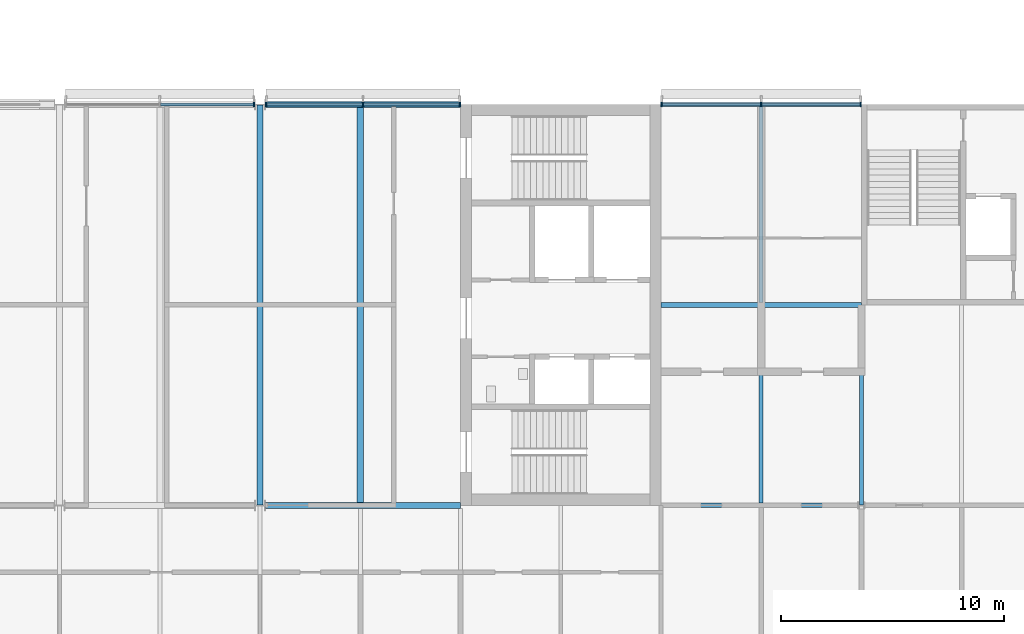
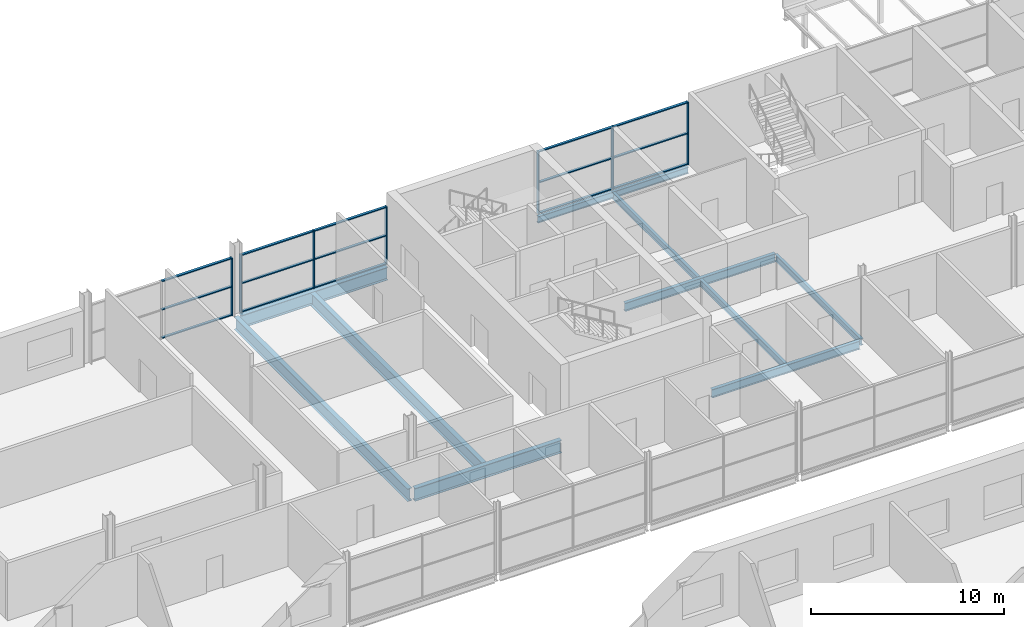
# One storey, part 43 of 97: 22 members, 10 beams, 3 elements without a shape of their own.
"""IFC4 building model written with IfcOpenShell, lengths in metres."""

from ifc_helpers import new_model, si_unit, direction, frame, origin, origin_2d, place, context, subcontext, project, spatial, rectangle, i_section, extrude, material, layer, layer_set, material_profile, profile_set, type_object, element, aggregate, save


model = new_model("IFC4")

# Units and contexts
model_context = context("Model", 3, precision=1e-05, world=origin(), true_north=direction((0.0, 1.0)))
body_context = subcontext(model_context, "Body", "Model", "MODEL_VIEW")
ifc_project = project(units=[si_unit("LENGTHUNIT", "METRE"), si_unit("AREAUNIT", "SQUARE_METRE"), si_unit("VOLUMEUNIT", "CUBIC_METRE"), si_unit("PLANEANGLEUNIT", "RADIAN"), si_unit("MASSUNIT", "GRAM", prefix="KILO")], contexts=[model_context])

# Site, building, storey
site_placement = place(None, origin())
site = spatial("IfcSite", under=ifc_project, at=site_placement, CompositionType="ELEMENT")
building_placement = place(site_placement, origin())
building = spatial("IfcBuilding", under=site, at=building_placement, Name="Corbel Yard City Hall", CompositionType="ELEMENT")
storey_placement = place(building_placement, frame((0.0, 0.0, 6.0)))
storey = spatial("IfcBuildingStorey", under=building, at=storey_placement, Name="L01", CompositionType="ELEMENT", Elevation=6.0)

# Beams
ifc_material_1 = material(Name="Steel Grade 300 (300 MPa yield)", Category="steel")
ifc_material_profile_1 = material_profile(ifc_material_1, i_section(OverallWidth=0.177978515625, OverallDepth=0.403076171875, WebThickness=0.007568359375, FlangeThickness=0.010986328125, at=origin_2d()), Name="410UB53.7")
ifc_profile_set_1 = profile_set([ifc_material_profile_1], Name="Steel Grade 300 (300 MPa yield)")
beam_type_1 = type_object("IfcBeamType", Name="Beam 410UB53.7", PredefinedType="BEAM", material=ifc_profile_set_1)
beam_1_placement = place(storey_placement, frame((63.0, 99.0078125, -0.3515625), z_axis=(0.0, 1.0, 0.0), x_axis=(-1.0, 0.0, 0.0)))
element("IfcBeam", 1, at=beam_1_placement, inside=storey, type_object=beam_type_1, Name="Beam 410UB53.7 SB6 L01floor", PredefinedType="BEAM", context=body_context, shape_type="SweptSolid", body=[
    extrude(i_section(OverallWidth=0.177978515625, OverallDepth=0.403076171875, WebThickness=0.007568359375, FlangeThickness=0.010986328125, at=origin_2d()), origin(), (0.0, 0.0, 1.0), 8.8876953125),
])
ifc_material_profile_2 = material_profile(ifc_material_1, i_section(OverallWidth=0.177978515625, OverallDepth=0.406005859375, WebThickness=0.0078125, FlangeThickness=0.0126953125, at=origin_2d()), Name="410UB59.7")
ifc_profile_set_2 = profile_set([ifc_material_profile_2], Name="Steel Grade 300 (300 MPa yield)")
beam_type_2 = type_object("IfcBeamType", Name="Edge beam 410UB59.7", PredefinedType="BEAM", material=ifc_profile_set_2)
beam_2_placement = place(storey_placement, frame((54.0, 117.0, -0.35302734375), z_axis=(1.0, 0.0, 0.0), x_axis=(0.0, 1.0, 0.0)))
element("IfcBeam", 2, at=beam_2_placement, inside=storey, type_object=beam_type_2, Name="Edge beam 410UB59.7 EB2 L01floor", PredefinedType="BEAM", context=body_context, shape_type="SweptSolid", body=[
    extrude(i_section(OverallWidth=0.177978515625, OverallDepth=0.406005859375, WebThickness=0.0078125, FlangeThickness=0.0126953125, at=origin_2d()), origin(), (0.0, 0.0, 1.0), 9.0),
])
ifc_material_2 = material(Name="Steel Grade 350", Category="steel")
ifc_material_profile_3 = material_profile(ifc_material_2, i_section(OverallWidth=0.27490234375, OverallDepth=0.81005859375, WebThickness=0.010009765625, FlangeThickness=0.02490234375, at=origin_2d()), Name="800WB168")
ifc_profile_set_3 = profile_set([ifc_material_profile_3], Name="Steel Grade 350")
beam_type_3 = type_object("IfcBeamType", Name="Edge beam 800WB168", PredefinedType="BEAM", material=ifc_profile_set_3)
beam_3_placement = place(storey_placement, frame((36.239990234375, 117.0, -0.554931640625), z_axis=(1.0, 0.0, 0.0), x_axis=(0.0, 1.0, 0.0)))
element("IfcBeam", 3, at=beam_3_placement, inside=storey, type_object=beam_type_3, Name="Edge beam 800WB168 EB3 L01floor", PredefinedType="BEAM", context=body_context, shape_type="SweptSolid", body=[
    extrude(i_section(OverallWidth=0.27490234375, OverallDepth=0.81005859375, WebThickness=0.010009765625, FlangeThickness=0.02490234375, at=origin_2d()), origin(), (0.0, 0.0, 1.0), 8.760009765625),
])
ifc_material_profile_4 = material_profile(ifc_material_1, i_section(OverallWidth=0.208984375, OverallDepth=0.528076171875, WebThickness=0.009521484375, FlangeThickness=0.01318359375, at=origin_2d()), Name="530UB82.0")
ifc_profile_set_4 = profile_set([ifc_material_profile_4], Name="Steel Grade 300 (300 MPa yield)")
beam_type_4 = type_object("IfcBeamType", Name="Girder 530UB82.0", PredefinedType="BEAM", material=ifc_profile_set_4)
beam_4_placement = place(storey_placement, frame((54.0, 99.0, -0.4140625), z_axis=(1.0, 0.0, 0.0), x_axis=(0.0, 1.0, 0.0)))
element("IfcBeam", 4, at=beam_4_placement, inside=storey, type_object=beam_type_4, Name="Girder 530UB82.0 GB3 L01floor", PredefinedType="BEAM", context=body_context, shape_type="SweptSolid", body=[
    extrude(i_section(OverallWidth=0.208984375, OverallDepth=0.528076171875, WebThickness=0.009521484375, FlangeThickness=0.01318359375, at=origin_2d()), origin(), (0.0, 0.0, 1.0), 8.83642578125),
])
beam_5_placement = place(storey_placement, frame((54.0, 108.0, -0.4140625), z_axis=(1.0, 0.0, 0.0), x_axis=(0.0, 1.0, 0.0)))
element("IfcBeam", 5, at=beam_5_placement, inside=storey, type_object=beam_type_4, Name="Girder 530UB82.0 GB3 L01floor", PredefinedType="BEAM", context=body_context, shape_type="SweptSolid", body=[
    extrude(i_section(OverallWidth=0.208984375, OverallDepth=0.528076171875, WebThickness=0.009521484375, FlangeThickness=0.01318359375, at=origin_2d()), origin(), (0.0, 0.0, 1.0), 9.0),
])
ifc_material_profile_5 = material_profile(ifc_material_2, i_section(OverallWidth=0.27490234375, OverallDepth=0.81005859375, WebThickness=0.010009765625, FlangeThickness=0.02490234375, at=origin_2d()), Name="800WB168")
ifc_profile_set_5 = profile_set([ifc_material_profile_5], Name="Steel Grade 350")
beam_type_5 = type_object("IfcBeamType", Name="Girder 800WB168", PredefinedType="BEAM", material=ifc_profile_set_5)
beam_6_placement = place(storey_placement, frame((36.239990234375, 99.0, -0.554931640625), z_axis=(1.0, 0.0, 0.0), x_axis=(0.0, 1.0, 0.0)))
element("IfcBeam", 6, at=beam_6_placement, inside=storey, type_object=beam_type_5, Name="Girder 800WB168 GB4 L01floor", PredefinedType="BEAM", context=body_context, shape_type="SweptSolid", body=[
    extrude(i_section(OverallWidth=0.27490234375, OverallDepth=0.81005859375, WebThickness=0.010009765625, FlangeThickness=0.02490234375, at=origin_2d()), origin(), (0.0, 0.0, 1.0), 8.760009765625),
])
ifc_material_profile_6 = material_profile(ifc_material_2, i_section(OverallWidth=0.27490234375, OverallDepth=0.800048828125, WebThickness=0.010009765625, FlangeThickness=0.02001953125, at=origin_2d()), Name="800WB146")
ifc_profile_set_6 = profile_set([ifc_material_profile_6], Name="Steel Grade 350")
beam_type_6 = type_object("IfcBeamType", Name="Long-span beam 800WB146", PredefinedType="BEAM", material=ifc_profile_set_6)
beam_7_placement = place(storey_placement, frame((36.0, 99.02001953125, -0.550048828125), z_axis=(0.0, 1.0, 0.0), x_axis=(-1.0, 0.0, 0.0)))
element("IfcBeam", 7, at=beam_7_placement, inside=storey, type_object=beam_type_6, Name="Long-span beam 800WB146 SB8 L01floor", PredefinedType="BEAM", context=body_context, shape_type="SweptSolid", body=[
    extrude(i_section(OverallWidth=0.27490234375, OverallDepth=0.800048828125, WebThickness=0.010009765625, FlangeThickness=0.02001953125, at=origin_2d()), origin(), (0.0, 0.0, 1.0), 17.9599609375),
])
ifc_material_profile_7 = material_profile(ifc_material_2, i_section(OverallWidth=0.27490234375, OverallDepth=0.800048828125, WebThickness=0.010009765625, FlangeThickness=0.02001953125, at=origin_2d()), Name="800WB146")
ifc_profile_set_7 = profile_set([ifc_material_profile_7], Name="Steel Grade 350")
beam_type_7 = type_object("IfcBeamType", Name="Long-span secondary beam 800WB146", PredefinedType="JOIST", material=ifc_profile_set_7)
beam_8_placement = place(storey_placement, frame((40.5, 99.137451171875, -0.550048828125), z_axis=(0.0, 1.0, 0.0), x_axis=(-1.0, 0.0, 0.0)))
element("IfcBeam", 8, at=beam_8_placement, inside=storey, type_object=beam_type_7, Name="Long-span secondary beam 800WB146 SB7 L01floor", PredefinedType="JOIST", context=body_context, shape_type="SweptSolid", body=[
    extrude(i_section(OverallWidth=0.27490234375, OverallDepth=0.800048828125, WebThickness=0.010009765625, FlangeThickness=0.02001953125, at=origin_2d()), origin(), (0.0, 0.0, 1.0), 17.72509765625),
])

# Curtain wall, member
ifc_material_3 = material(Name="Aluminium extrusion", Category="aluminium")
ifc_layer = layer(ifc_material_3, 0.199951171875)
ifc_layer_set = layer_set([ifc_layer], Name="Aluminium extrusion")
curtain_wall_type = type_object("IfcCurtainWallType", Name="CW1", PredefinedType="USERDEFINED", material=ifc_layer_set)
curtain_wall_1_placement = place(storey_placement, origin())
curtain_wall_1 = element("IfcCurtainWall", 9, at=curtain_wall_1_placement, inside=storey, type_object=curtain_wall_type, Name="Curtain wall CW1 L01", ObjectType="CURTAIN WALL", PredefinedType="USERDEFINED")
ifc_material_profile_8 = material_profile(ifc_material_3, rectangle(XDim=0.199951171875, YDim=0.06494140625, at=origin_2d()), Name="200x65")
ifc_profile_set_8 = profile_set([ifc_material_profile_8], Name="Aluminium extrusion")
member_type_1 = type_object("IfcMemberType", Name="ML1", PredefinedType="MULLION", material=ifc_profile_set_8)
member_1_placement = place(storey_placement, frame((35.7275390625, 117.0, 0.0), z_axis=(0.0, 0.0, 1.0), x_axis=(0.0, 1.0, 0.0)))
member_1 = element("IfcMember", 10, at=member_1_placement, type_object=member_type_1, Name="CW1 mullion 3", PredefinedType="MULLION", context=body_context, shape_type="SweptSolid", body=[
    extrude(rectangle(XDim=0.199951171875, YDim=0.06494140625, at=origin_2d()), origin(), (0.0, 0.0, 1.0), 3.639892578125),
])

# Curtain wall, members
curtain_wall_2_placement = place(storey_placement, origin())
curtain_wall_2 = element("IfcCurtainWall", 11, at=curtain_wall_2_placement, inside=storey, type_object=curtain_wall_type, Name="Curtain wall CW1 L01", ObjectType="CURTAIN WALL", PredefinedType="USERDEFINED")
member_2_placement = place(storey_placement, frame((36.2724609375, 117.0, 0.0), z_axis=(0.0, 0.0, 1.0), x_axis=(0.0, 1.0, 0.0)))
member_2 = element("IfcMember", 12, at=member_2_placement, type_object=member_type_1, Name="CW1 mullion 1", PredefinedType="MULLION", context=body_context, shape_type="SweptSolid", body=[
    extrude(rectangle(XDim=0.199951171875, YDim=0.06494140625, at=origin_2d()), origin(), (0.0, 0.0, 1.0), 3.639892578125),
])
member_3_placement = place(storey_placement, frame((40.6201171875, 117.0, 0.0), z_axis=(0.0, 0.0, 1.0), x_axis=(0.0, 1.0, 0.0)))
member_3 = element("IfcMember", 13, at=member_3_placement, type_object=member_type_1, Name="CW1 mullion 2", PredefinedType="MULLION", context=body_context, shape_type="SweptSolid", body=[
    extrude(rectangle(XDim=0.199951171875, YDim=0.06494140625, at=origin_2d()), origin(), (0.0, 0.0, 1.0), 3.639892578125),
])
member_4_placement = place(storey_placement, frame((44.967529296875, 117.0, 0.0), z_axis=(0.0, 0.0, 1.0), x_axis=(0.0, 1.0, 0.0)))
member_4 = element("IfcMember", 14, at=member_4_placement, type_object=member_type_1, Name="CW1 mullion 3", PredefinedType="MULLION", context=body_context, shape_type="SweptSolid", body=[
    extrude(rectangle(XDim=0.199951171875, YDim=0.06494140625, at=origin_2d()), origin(), (0.0, 0.0, 1.0), 3.639892578125),
])

curtain_wall_3_placement = place(storey_placement, origin())
curtain_wall_3 = element("IfcCurtainWall", 15, at=curtain_wall_3_placement, inside=storey, type_object=curtain_wall_type, Name="Curtain wall CW1 L01", ObjectType="CURTAIN WALL", PredefinedType="USERDEFINED")
member_5_placement = place(storey_placement, frame((54.032470703125, 117.0, 0.0), z_axis=(0.0, 0.0, 1.0), x_axis=(0.0, 1.0, 0.0)))
member_5 = element("IfcMember", 16, at=member_5_placement, type_object=member_type_1, Name="CW1 mullion 1", PredefinedType="MULLION", context=body_context, shape_type="SweptSolid", body=[
    extrude(rectangle(XDim=0.199951171875, YDim=0.06494140625, at=origin_2d()), origin(), (0.0, 0.0, 1.0), 3.947021484375),
])
member_6_placement = place(storey_placement, frame((58.5, 117.0, 0.0), z_axis=(0.0, 0.0, 1.0), x_axis=(0.0, 1.0, 0.0)))
member_6 = element("IfcMember", 17, at=member_6_placement, type_object=member_type_1, Name="CW1 mullion 2", PredefinedType="MULLION", context=body_context, shape_type="SweptSolid", body=[
    extrude(rectangle(XDim=0.199951171875, YDim=0.06494140625, at=origin_2d()), origin(), (0.0, 0.0, 1.0), 3.947021484375),
])
member_7_placement = place(storey_placement, frame((62.967529296875, 117.0, 0.0), z_axis=(0.0, 0.0, 1.0), x_axis=(0.0, 1.0, 0.0)))
member_7 = element("IfcMember", 18, at=member_7_placement, type_object=member_type_1, Name="CW1 mullion 3", PredefinedType="MULLION", context=body_context, shape_type="SweptSolid", body=[
    extrude(rectangle(XDim=0.199951171875, YDim=0.06494140625, at=origin_2d()), origin(), (0.0, 0.0, 1.0), 3.947021484375),
])

# Beams
ifc_material_profile_9 = material_profile(ifc_material_1, i_section(OverallWidth=0.177978515625, OverallDepth=0.403076171875, WebThickness=0.007568359375, FlangeThickness=0.010986328125, at=origin_2d()), Name="410UB53.7")
ifc_profile_set_9 = profile_set([ifc_material_profile_9], Name="Steel Grade 300 (300 MPa yield)")
beam_type_8 = type_object("IfcBeamType", Name="Secondary beam 410UB53.7", PredefinedType="JOIST", material=ifc_profile_set_9)
beam_9_placement = place(storey_placement, frame((58.5, 99.1044921875, -0.3515625), z_axis=(0.0, 1.0, 0.0), x_axis=(-1.0, 0.0, 0.0)))
element("IfcBeam", 19, at=beam_9_placement, inside=storey, type_object=beam_type_8, Name="Secondary beam 410UB53.7 SB5 L01floor", PredefinedType="JOIST", context=body_context, shape_type="SweptSolid", body=[
    extrude(i_section(OverallWidth=0.177978515625, OverallDepth=0.403076171875, WebThickness=0.007568359375, FlangeThickness=0.010986328125, at=origin_2d()), origin(), (0.0, 0.0, 1.0), 8.791015625),
])
beam_10_placement = place(storey_placement, frame((58.5, 108.1044921875, -0.3515625), z_axis=(0.0, 1.0, 0.0), x_axis=(-1.0, 0.0, 0.0)))
element("IfcBeam", 20, at=beam_10_placement, inside=storey, type_object=beam_type_8, Name="Secondary beam 410UB53.7 SB5 L01floor", PredefinedType="JOIST", context=body_context, shape_type="SweptSolid", body=[
    extrude(i_section(OverallWidth=0.177978515625, OverallDepth=0.403076171875, WebThickness=0.007568359375, FlangeThickness=0.010986328125, at=origin_2d()), origin(), (0.0, 0.0, 1.0), 8.806396484375),
])

# Member
ifc_material_profile_10 = material_profile(ifc_material_3, rectangle(XDim=0.14990234375, YDim=0.06494140625, at=origin_2d()), Name="150x65")
ifc_profile_set_10 = profile_set([ifc_material_profile_10], Name="Aluminium extrusion")
member_type_2 = type_object("IfcMemberType", Name="TR1", PredefinedType="USERDEFINED", material=ifc_profile_set_10)
member_8_placement = place(storey_placement, frame((31.532470703125, 117.0, 0.032470703125), z_axis=(1.0, 0.0, 0.0), x_axis=(0.0, 1.0, 0.0)))
member_8 = element("IfcMember", 21, at=member_8_placement, type_object=member_type_2, Name="CW1 transom 2.1", ObjectType="TRANSOM", PredefinedType="USERDEFINED", context=body_context, shape_type="SweptSolid", body=[
    extrude(rectangle(XDim=0.14990234375, YDim=0.06494140625, at=origin_2d()), origin(), (0.0, 0.0, 1.0), 4.16259765625),
])

member_9_placement = place(storey_placement, frame((31.532470703125, 117.0, 1.820068359375), z_axis=(1.0, 0.0, 0.0), x_axis=(0.0, 1.0, 0.0)))
member_9 = element("IfcMember", 22, at=member_9_placement, type_object=member_type_2, Name="CW1 transom 2.2", ObjectType="TRANSOM", PredefinedType="USERDEFINED", context=body_context, shape_type="SweptSolid", body=[
    extrude(rectangle(XDim=0.14990234375, YDim=0.06494140625, at=origin_2d()), origin(), (0.0, 0.0, 1.0), 4.16259765625),
])

member_10_placement = place(storey_placement, frame((31.532470703125, 117.0, 3.607421875), z_axis=(1.0, 0.0, 0.0), x_axis=(0.0, 1.0, 0.0)))
member_10 = element("IfcMember", 23, at=member_10_placement, type_object=member_type_2, Name="CW1 transom 2.3", ObjectType="TRANSOM", PredefinedType="USERDEFINED", context=body_context, shape_type="SweptSolid", body=[
    extrude(rectangle(XDim=0.14990234375, YDim=0.06494140625, at=origin_2d()), origin(), (0.0, 0.0, 1.0), 4.16259765625),
])

aggregate(curtain_wall_1, [member_1, member_8, member_9, member_10])

member_11_placement = place(storey_placement, frame((36.304931640625, 117.0, 0.032470703125), z_axis=(1.0, 0.0, 0.0), x_axis=(0.0, 1.0, 0.0)))
member_11 = element("IfcMember", 24, at=member_11_placement, type_object=member_type_2, Name="CW1 transom 1.1", ObjectType="TRANSOM", PredefinedType="USERDEFINED", context=body_context, shape_type="SweptSolid", body=[
    extrude(rectangle(XDim=0.14990234375, YDim=0.06494140625, at=origin_2d()), origin(), (0.0, 0.0, 1.0), 4.282470703125),
])

member_12_placement = place(storey_placement, frame((36.304931640625, 117.0, 1.820068359375), z_axis=(1.0, 0.0, 0.0), x_axis=(0.0, 1.0, 0.0)))
member_12 = element("IfcMember", 25, at=member_12_placement, type_object=member_type_2, Name="CW1 transom 1.2", ObjectType="TRANSOM", PredefinedType="USERDEFINED", context=body_context, shape_type="SweptSolid", body=[
    extrude(rectangle(XDim=0.14990234375, YDim=0.06494140625, at=origin_2d()), origin(), (0.0, 0.0, 1.0), 4.282470703125),
])

member_13_placement = place(storey_placement, frame((36.304931640625, 117.0, 3.607421875), z_axis=(1.0, 0.0, 0.0), x_axis=(0.0, 1.0, 0.0)))
member_13 = element("IfcMember", 26, at=member_13_placement, type_object=member_type_2, Name="CW1 transom 1.3", ObjectType="TRANSOM", PredefinedType="USERDEFINED", context=body_context, shape_type="SweptSolid", body=[
    extrude(rectangle(XDim=0.14990234375, YDim=0.06494140625, at=origin_2d()), origin(), (0.0, 0.0, 1.0), 4.282470703125),
])

member_14_placement = place(storey_placement, frame((40.652587890625, 117.0, 0.032470703125), z_axis=(1.0, 0.0, 0.0), x_axis=(0.0, 1.0, 0.0)))
member_14 = element("IfcMember", 27, at=member_14_placement, type_object=member_type_2, Name="CW1 transom 2.1", ObjectType="TRANSOM", PredefinedType="USERDEFINED", context=body_context, shape_type="SweptSolid", body=[
    extrude(rectangle(XDim=0.14990234375, YDim=0.06494140625, at=origin_2d()), origin(), (0.0, 0.0, 1.0), 4.282470703125),
])

member_15_placement = place(storey_placement, frame((40.652587890625, 117.0, 1.820068359375), z_axis=(1.0, 0.0, 0.0), x_axis=(0.0, 1.0, 0.0)))
member_15 = element("IfcMember", 28, at=member_15_placement, type_object=member_type_2, Name="CW1 transom 2.2", ObjectType="TRANSOM", PredefinedType="USERDEFINED", context=body_context, shape_type="SweptSolid", body=[
    extrude(rectangle(XDim=0.14990234375, YDim=0.06494140625, at=origin_2d()), origin(), (0.0, 0.0, 1.0), 4.282470703125),
])

member_16_placement = place(storey_placement, frame((40.652587890625, 117.0, 3.607421875), z_axis=(1.0, 0.0, 0.0), x_axis=(0.0, 1.0, 0.0)))
member_16 = element("IfcMember", 29, at=member_16_placement, type_object=member_type_2, Name="CW1 transom 2.3", ObjectType="TRANSOM", PredefinedType="USERDEFINED", context=body_context, shape_type="SweptSolid", body=[
    extrude(rectangle(XDim=0.14990234375, YDim=0.06494140625, at=origin_2d()), origin(), (0.0, 0.0, 1.0), 4.282470703125),
])

aggregate(curtain_wall_2, [member_2, member_3, member_4, member_11, member_12, member_13, member_14, member_15, member_16])

member_17_placement = place(storey_placement, frame((54.06494140625, 117.0, 0.032470703125), z_axis=(1.0, 0.0, 0.0), x_axis=(0.0, 1.0, 0.0)))
member_17 = element("IfcMember", 30, at=member_17_placement, type_object=member_type_2, Name="CW1 transom 1.1", ObjectType="TRANSOM", PredefinedType="USERDEFINED", context=body_context, shape_type="SweptSolid", body=[
    extrude(rectangle(XDim=0.14990234375, YDim=0.06494140625, at=origin_2d()), origin(), (0.0, 0.0, 1.0), 4.402587890625),
])

member_18_placement = place(storey_placement, frame((54.06494140625, 117.0, 1.973388671875), z_axis=(1.0, 0.0, 0.0), x_axis=(0.0, 1.0, 0.0)))
member_18 = element("IfcMember", 31, at=member_18_placement, type_object=member_type_2, Name="CW1 transom 1.2", ObjectType="TRANSOM", PredefinedType="USERDEFINED", context=body_context, shape_type="SweptSolid", body=[
    extrude(rectangle(XDim=0.14990234375, YDim=0.06494140625, at=origin_2d()), origin(), (0.0, 0.0, 1.0), 4.402587890625),
])

member_19_placement = place(storey_placement, frame((54.06494140625, 117.0, 3.91455078125), z_axis=(1.0, 0.0, 0.0), x_axis=(0.0, 1.0, 0.0)))
member_19 = element("IfcMember", 32, at=member_19_placement, type_object=member_type_2, Name="CW1 transom 1.3", ObjectType="TRANSOM", PredefinedType="USERDEFINED", context=body_context, shape_type="SweptSolid", body=[
    extrude(rectangle(XDim=0.14990234375, YDim=0.06494140625, at=origin_2d()), origin(), (0.0, 0.0, 1.0), 4.402587890625),
])

member_20_placement = place(storey_placement, frame((58.532470703125, 117.0, 0.032470703125), z_axis=(1.0, 0.0, 0.0), x_axis=(0.0, 1.0, 0.0)))
member_20 = element("IfcMember", 33, at=member_20_placement, type_object=member_type_2, Name="CW1 transom 2.1", ObjectType="TRANSOM", PredefinedType="USERDEFINED", context=body_context, shape_type="SweptSolid", body=[
    extrude(rectangle(XDim=0.14990234375, YDim=0.06494140625, at=origin_2d()), origin(), (0.0, 0.0, 1.0), 4.402587890625),
])

member_21_placement = place(storey_placement, frame((58.532470703125, 117.0, 1.973388671875), z_axis=(1.0, 0.0, 0.0), x_axis=(0.0, 1.0, 0.0)))
member_21 = element("IfcMember", 34, at=member_21_placement, type_object=member_type_2, Name="CW1 transom 2.2", ObjectType="TRANSOM", PredefinedType="USERDEFINED", context=body_context, shape_type="SweptSolid", body=[
    extrude(rectangle(XDim=0.14990234375, YDim=0.06494140625, at=origin_2d()), origin(), (0.0, 0.0, 1.0), 4.402587890625),
])

member_22_placement = place(storey_placement, frame((58.532470703125, 117.0, 3.91455078125), z_axis=(1.0, 0.0, 0.0), x_axis=(0.0, 1.0, 0.0)))
member_22 = element("IfcMember", 35, at=member_22_placement, type_object=member_type_2, Name="CW1 transom 2.3", ObjectType="TRANSOM", PredefinedType="USERDEFINED", context=body_context, shape_type="SweptSolid", body=[
    extrude(rectangle(XDim=0.14990234375, YDim=0.06494140625, at=origin_2d()), origin(), (0.0, 0.0, 1.0), 4.402587890625),
])

aggregate(curtain_wall_3, [member_5, member_6, member_7, member_17, member_18, member_19, member_20, member_21, member_22])

save(model, "model.ifc")
